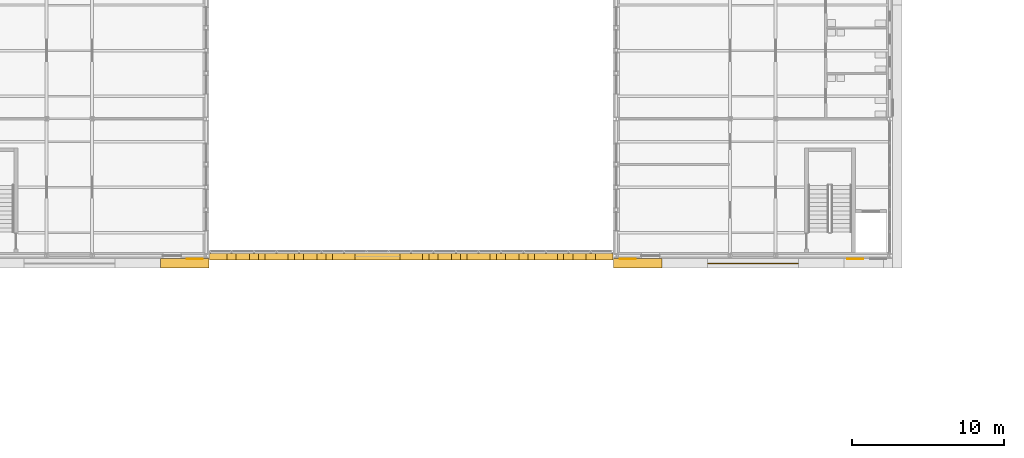
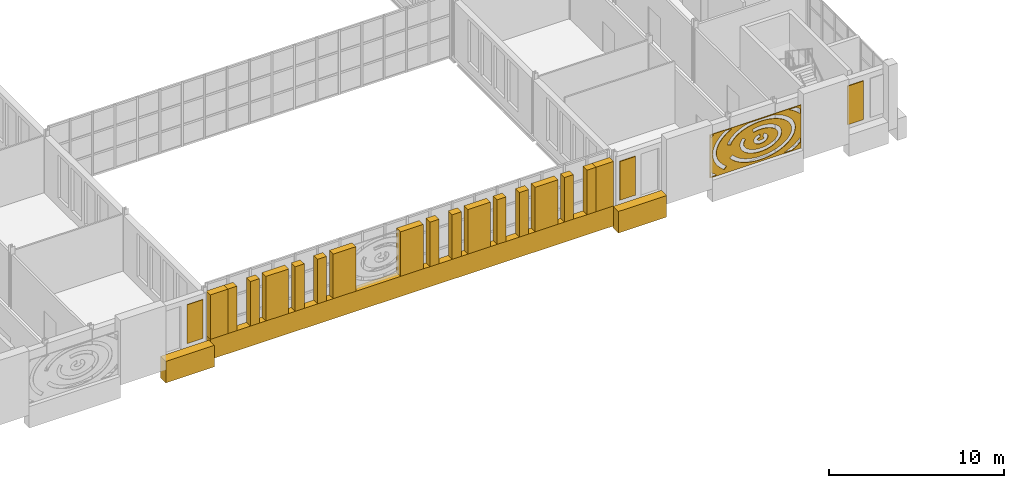
# One storey, part 114 of 131: 24 coverings.
"""IFC4 building model written with IfcOpenShell, lengths in metres."""

from ifc_helpers import new_model, si_unit, direction, frame, origin, place, context, subcontext, project, spatial, polyline, outline, extrude, material, layer, layer_set, type_object, element, save


model = new_model("IFC4")

# Units and contexts
model_context = context("Model", 3, precision=1e-05, world=origin(), true_north=direction((0.0, 1.0)))
body_context = subcontext(model_context, "Body", "Model", "MODEL_VIEW")
ifc_project = project(units=[si_unit("LENGTHUNIT", "METRE"), si_unit("AREAUNIT", "SQUARE_METRE"), si_unit("VOLUMEUNIT", "CUBIC_METRE"), si_unit("PLANEANGLEUNIT", "RADIAN"), si_unit("MASSUNIT", "GRAM", prefix="KILO")], contexts=[model_context])

# Site, building, storey
site_placement = place(None, origin())
site = spatial("IfcSite", under=ifc_project, at=site_placement, CompositionType="ELEMENT")
building_placement = place(site_placement, origin())
building = spatial("IfcBuilding", under=site, at=building_placement, Name="Golden Quay Civic Hall", CompositionType="ELEMENT")
storey_placement = place(building_placement, frame((0.0, 0.0, 9.89990234375)))
storey = spatial("IfcBuildingStorey", under=building, at=storey_placement, Name="L02", CompositionType="ELEMENT", Elevation=9.89990234375)

# Coverings
ifc_material_1 = material(Name="Aluminium, golden anodised, perforated", Category="aluminium")
ifc_layer_1 = layer(ifc_material_1, 0.0400390625)
ifc_layer_set_1 = layer_set([ifc_layer_1], Name="Perforated screen panel 6000 x 3000 x 40")
covering_type_1 = type_object("IfcCoveringType", Name="Perforated screen panel 6000 x 3000 x 40", PredefinedType="CLADDING", material=ifc_layer_set_1)
covering_1_placement = place(storey_placement, frame((108.0, -0.5, 2.10009765625), z_axis=(0.0, -1.0, 0.0), x_axis=(1.0, 0.0, 0.0)))
element("IfcCovering", 1, at=covering_1_placement, inside=storey, type_object=covering_type_1, Name="Perforated screen panel 6000 x 3000 x 40 L02 10", PredefinedType="CLADDING", context=body_context, shape_type="SweptSolid", body=[
    extrude(outline(polyline([(-3.0, -1.5), (3.0, -1.5), (3.0, 1.5), (-3.0, 1.5), (-3.0, -1.5)]), holes=[polyline([(0.258056640625, 0.16650390625), (0.1943359375, 0.14599609375), (0.162109375, 0.12841796875), (0.139404296875, 0.110595703125), (0.126708984375, 0.095458984375), (0.120849609375, 0.080078125), (0.1259765625, 0.065673828125), (0.1376953125, 0.051025390625), (0.174072265625, 0.0244140625), (0.210205078125, 0.007568359375), (0.277587890625, -0.010498046875), (0.327880859375, -0.015869140625), (0.379150390625, -0.015380859375), (0.45263671875, -0.004150390625), (0.495361328125, 0.009765625), (0.544189453125, 0.035888671875), (0.564453125, 0.05322265625), (0.574951171875, 0.0673828125), (0.5791015625, 0.07861328125), (0.57568359375, 0.09130859375), (0.55810546875, 0.11279296875), (0.5341796875, 0.130859375), (0.4765625, 0.1572265625), (0.562744140625, 0.38232421875), (0.633056640625, 0.351806640625), (0.68798828125, 0.317626953125), (0.742431640625, 0.269287109375), (0.77392578125, 0.22900390625), (0.801513671875, 0.176513671875), (0.816650390625, 0.123291015625), (0.81982421875, 0.064697265625), (0.810302734375, 0.009521484375), (0.797607421875, -0.02587890625), (0.780517578125, -0.05859375), (0.759765625, -0.0888671875), (0.735595703125, -0.1162109375), (0.708984375, -0.14111328125), (0.6572265625, -0.177978515625), (0.581298828125, -0.21533203125), (0.54541015625, -0.22802734375), (0.477294921875, -0.245361328125), (0.3916015625, -0.256103515625), (0.319091796875, -0.256591796875), (0.272705078125, -0.2529296875), (0.2021484375, -0.240966796875), (0.164794921875, -0.231201171875), (0.093505859375, -0.20458984375), (0.0283203125, -0.1689453125), (-0.02880859375, -0.123291015625), (-0.06201171875, -0.085693359375), (-0.093505859375, -0.034912109375), (-0.1123046875, 0.016357421875), (-0.1201171875, 0.074462890625), (-0.115234375, 0.130615234375), (-0.097412109375, 0.186767578125), (-0.0712890625, 0.23291015625), (-0.03271484375, 0.279296875), (0.025390625, 0.326904296875), (0.066162109375, 0.351318359375), (0.135009765625, 0.381591796875), (0.201904296875, 0.40087890625), (0.27978515625, 0.413818359375), (0.310546875, 0.1748046875), (0.258056640625, 0.16650390625)]), polyline([(-0.724609375, 0.27685546875), (-0.746826171875, 0.232421875), (-0.76318359375, 0.187744140625), (-0.773681640625, 0.143310546875), (-0.77880859375, 0.09912109375), (-0.778564453125, 0.05517578125), (-0.772705078125, 0.010986328125), (-0.761474609375, -0.033447265625), (-0.744384765625, -0.078125), (-0.721435546875, -0.122802734375), (-0.6923828125, -0.167236328125), (-0.6572265625, -0.211181640625), (-0.61572265625, -0.254150390625), (-0.568603515625, -0.2958984375), (-0.515380859375, -0.3359375), (-0.456787109375, -0.373779296875), (-0.392822265625, -0.409423828125), (-0.32421875, -0.44189453125), (-0.251220703125, -0.4716796875), (-0.17431640625, -0.497802734375), (-0.093994140625, -0.5205078125), (-0.010986328125, -0.539306640625), (0.07470703125, -0.55419921875), (0.161865234375, -0.565185546875), (0.250244140625, -0.572021484375), (0.339599609375, -0.574462890625), (0.4287109375, -0.572998046875), (0.517333984375, -0.567138671875), (0.60498046875, -0.55712890625), (0.69091796875, -0.543212890625), (0.774658203125, -0.525146484375), (0.855712890625, -0.50341796875), (0.933349609375, -0.47802734375), (1.00732421875, -0.44921875), (1.0771484375, -0.417236328125), (1.14208984375, -0.382568359375), (1.201904296875, -0.34521484375), (1.256591796875, -0.305419921875), (1.30517578125, -0.26416015625), (1.347900390625, -0.221435546875), (1.384521484375, -0.177490234375), (1.4150390625, -0.13330078125), (1.439453125, -0.088623046875), (1.4580078125, -0.0439453125), (1.470458984375, 0.00048828125), (1.4775390625, 0.044677734375), (1.479248046875, 0.0888671875), (1.475341796875, 0.1328125), (1.46630859375, 0.17724609375), (1.451171875, 0.2216796875), (1.430419921875, 0.266357421875), (1.40380859375, 0.310791015625), (1.370849609375, 0.35498046875), (1.331787109375, 0.3984375), (1.28662109375, 0.44091796875), (1.235595703125, 0.4814453125), (1.178955078125, 0.520263671875), (1.116943359375, 0.556640625), (1.0498046875, 0.59033203125), (0.978515625, 0.62109375), (0.90283203125, 0.648681640625), (0.82373046875, 0.672607421875), (0.74169921875, 0.69287109375), (0.656982421875, 0.709228515625), (0.5703125, 0.7216796875), (0.482177734375, 0.72998046875), (0.393310546875, 0.73388671875), (0.303955078125, 0.73388671875), (0.215087890625, 0.729736328125), (0.126953125, 0.72119140625), (0.040283203125, 0.708740234375), (-0.044189453125, 0.692138671875), (-0.12939453125, 0.671142578125), (-0.1875, 0.90478515625), (-0.093505859375, 0.927978515625), (0.0029296875, 0.94677734375), (0.101318359375, 0.960693359375), (0.195068359375, 0.9697265625), (0.29541015625, 0.974609375), (0.39599609375, 0.974853515625), (0.49609375, 0.970458984375), (0.595703125, 0.961181640625), (0.69970703125, 0.9462890625), (0.790283203125, 0.9287109375), (0.884521484375, 0.90576171875), (0.975830078125, 0.878173828125), (1.0703125, 0.84375), (1.1484375, 0.810302734375), (1.228759765625, 0.77001953125), (1.304443359375, 0.725830078125), (1.375244140625, 0.677978515625), (1.4404296875, 0.626220703125), (1.50732421875, 0.5634765625), (1.560546875, 0.50341796875), (1.600341796875, 0.4501953125), (1.64013671875, 0.385009765625), (1.672607421875, 0.317138671875), (1.700439453125, 0.2333984375), (1.71484375, 0.16064453125), (1.72021484375, 0.08740234375), (1.716552734375, 0.013916015625), (1.7041015625, -0.05859375), (1.68310546875, -0.129638671875), (1.65966796875, -0.1865234375), (1.62353515625, -0.254150390625), (1.572998046875, -0.327880859375), (1.522216796875, -0.387939453125), (1.46484375, -0.444580078125), (1.408935546875, -0.4921875), (1.333251953125, -0.54736328125), (1.259521484375, -0.593017578125), (1.1875, -0.63134765625), (1.09814453125, -0.672607421875), (1.011474609375, -0.7060546875), (0.921142578125, -0.7353515625), (0.833984375, -0.7587890625), (0.732666015625, -0.780517578125), (0.635009765625, -0.796142578125), (0.54150390625, -0.806884765625), (0.435791015625, -0.813720703125), (0.341064453125, -0.8154296875), (0.240478515625, -0.8125), (0.135009765625, -0.804443359375), (0.041748046875, -0.79296875), (-0.055419921875, -0.776123046875), (-0.150390625, -0.754638671875), (-0.242919921875, -0.728759765625), (-0.33837890625, -0.696044921875), (-0.41796875, -0.6640625), (-0.499755859375, -0.625244140625), (-0.583984375, -0.578369140625), (-0.64990234375, -0.535888671875), (-0.71728515625, -0.485595703125), (-0.7861328125, -0.424560546875), (-0.834716796875, -0.3740234375), (-0.884033203125, -0.313232421875), (-0.9326171875, -0.23828125), (-0.961669921875, -0.182373046875), (-0.989013671875, -0.113037109375), (-1.010498046875, -0.027587890625), (-1.018310546875, 0.031005859375), (-1.019775390625, 0.1044921875), (-1.009765625, 0.192138671875), (-0.99169921875, 0.263916015625), (-0.970703125, 0.3212890625), (-0.931396484375, 0.400634765625), (-0.889892578125, 0.465087890625), (-0.8486328125, 0.51806640625), (-0.65869140625, 0.36962890625), (-0.696533203125, 0.3212890625), (-0.724609375, 0.27685546875)]), polyline([(-1.382568359375, -0.546630859375), (-1.3115234375, -0.611572265625), (-1.2333984375, -0.673828125), (-1.1484375, -0.7333984375), (-1.05712890625, -0.789794921875), (-0.959716796875, -0.843017578125), (-0.856201171875, -0.89208984375), (-0.747802734375, -0.937255859375), (-0.634521484375, -0.978271484375), (-0.51708984375, -1.0146484375), (-0.3955078125, -1.04638671875), (-0.27099609375, -1.073486328125), (-0.143798828125, -1.095703125), (-0.014404296875, -1.112548828125), (0.11669921875, -1.12451171875), (0.248779296875, -1.131103515625), (0.38134765625, -1.13232421875), (0.513671875, -1.12841796875), (0.645263671875, -1.119384765625), (0.775634765625, -1.105224609375), (0.904052734375, -1.085693359375), (1.0302734375, -1.061279296875), (1.1533203125, -1.031982421875), (1.27294921875, -0.998046875), (1.388671875, -0.95947265625), (1.499755859375, -0.91650390625), (1.605712890625, -0.869384765625), (1.706298828125, -0.818359375), (1.801025390625, -0.763671875), (1.889404296875, -0.705810546875), (1.97119140625, -0.644775390625), (2.0458984375, -0.581298828125), (2.113525390625, -0.51513671875), (2.173583984375, -0.447509765625), (2.22607421875, -0.3779296875), (2.270751953125, -0.307373046875), (2.3076171875, -0.236083984375), (2.3369140625, -0.163818359375), (2.3583984375, -0.091552734375), (2.37255859375, -0.018798828125), (2.37890625, 0.0537109375), (2.3779296875, 0.12646484375), (2.369384765625, 0.19921875), (2.353271484375, 0.271728515625), (2.32958984375, 0.343994140625), (2.298095703125, 0.416015625), (2.259033203125, 0.4873046875), (2.212158203125, 0.5576171875), (2.157470703125, 0.62646484375), (2.095458984375, 0.69384765625), (2.02587890625, 0.75927734375), (1.94921875, 0.822021484375), (1.865478515625, 0.882080078125), (1.775146484375, 0.939208984375), (1.6787109375, 0.992919921875), (1.57666015625, 1.04296875), (1.468994140625, 1.0888671875), (1.356689453125, 1.130615234375), (1.239990234375, 1.168212890625), (1.119384765625, 1.20068359375), (0.995361328125, 1.228759765625), (0.868408203125, 1.251708984375), (0.739501953125, 1.269775390625), (0.608642578125, 1.282470703125), (0.476806640625, 1.2900390625), (0.34423828125, 1.29248046875), (0.2119140625, 1.289794921875), (0.080078125, 1.281494140625), (-0.05078125, 1.268310546875), (-0.1796875, 1.25), (-0.30615234375, 1.2265625), (-0.429931640625, 1.197998046875), (-0.55029296875, 1.1650390625), (-0.666748046875, 1.127197265625), (-0.77880859375, 1.085205078125), (-0.8857421875, 1.038818359375), (-0.9873046875, 0.988525390625), (-1.083251953125, 0.9345703125), (-1.173095703125, 0.877197265625), (-1.256103515625, 0.816650390625), (-1.33203125, 0.753662109375), (-1.401123046875, 0.68798828125), (-1.462646484375, 0.62060546875), (-1.5166015625, 0.551513671875), (-1.562744140625, 0.481201171875), (-1.60107421875, 0.409912109375), (-1.634033203125, 0.33251953125), (-1.855712890625, 0.42724609375), (-1.81591796875, 0.519287109375), (-1.766845703125, 0.60888671875), (-1.70947265625, 0.69580078125), (-1.649658203125, 0.7724609375), (-1.576171875, 0.853515625), (-1.4951171875, 0.930908203125), (-1.40673828125, 1.004638671875), (-1.311767578125, 1.07421875), (-1.210205078125, 1.13916015625), (-1.102783203125, 1.199951171875), (-0.98974609375, 1.256103515625), (-0.87158203125, 1.307373046875), (-0.748779296875, 1.353759765625), (-0.6220703125, 1.39501953125), (-0.452880859375, 1.43994140625), (1.153564453125, 1.43994140625), (1.310791015625, 1.398193359375), (1.432861328125, 1.359375), (1.555908203125, 1.313720703125), (1.67431640625, 1.26318359375), (1.78759765625, 1.2080078125), (1.895263671875, 1.148193359375), (1.997314453125, 1.083984375), (2.0927734375, 1.015380859375), (2.181640625, 0.94287109375), (2.269287109375, 0.8603515625), (2.337646484375, 0.78662109375), (2.404052734375, 0.703125), (2.46240234375, 0.61669921875), (2.511962890625, 0.527099609375), (2.556640625, 0.424560546875), (2.583984375, 0.34130859375), (2.605712890625, 0.245361328125), (2.61865234375, 0.13623046875), (2.619384765625, 0.038818359375), (2.610107421875, -0.058349609375), (2.591064453125, -0.154541015625), (2.566162109375, -0.23828125), (2.52880859375, -0.331787109375), (2.47705078125, -0.431884765625), (2.421142578125, -0.519287109375), (2.36279296875, -0.596435546875), (2.284912109375, -0.6845703125), (2.205078125, -0.761962890625), (2.118408203125, -0.835693359375), (2.030517578125, -0.90087890625), (1.92431640625, -0.970703125), (1.818115234375, -1.03173828125), (1.706298828125, -1.08837890625), (1.5947265625, -1.1376953125), (1.467529296875, -1.18701171875), (1.341552734375, -1.22900390625), (1.216796875, -1.264404296875), (1.07861328125, -1.29736328125), (0.9423828125, -1.323486328125), (0.80908203125, -1.34375), (0.664306640625, -1.359619140625), (0.52294921875, -1.369140625), (0.385986328125, -1.373291015625), (0.239013671875, -1.37158203125), (0.102294921875, -1.36474609375), (-0.038330078125, -1.352294921875), (-0.182373046875, -1.33349609375), (-0.314697265625, -1.310546875), (-0.44921875, -1.281494140625), (-0.585693359375, -1.24560546875), (-0.70849609375, -1.20751953125), (-0.83251953125, -1.162841796875), (-0.957275390625, -1.11083984375), (-1.066162109375, -1.05908203125), (-1.175048828125, -1.0), (-1.278076171875, -0.9365234375), (-1.375, -0.868896484375), (-1.47119140625, -0.7919921875), (-1.548095703125, -0.7216796875), (-1.623779296875, -0.64208984375), (-1.69189453125, -0.5595703125), (-1.505126953125, -0.4072265625), (-1.446044921875, -0.4794921875), (-1.382568359375, -0.546630859375)]), polyline([(1.931396484375, -1.407958984375), (2.066162109375, -1.35205078125), (2.19580078125, -1.291748046875), (2.3193359375, -1.22705078125), (2.436767578125, -1.15869140625), (2.547607421875, -1.086669921875), (2.6513671875, -1.010986328125), (2.747802734375, -0.932373046875), (2.8369140625, -0.85107421875), (2.93994140625, -0.741455078125), (2.93994140625, -1.083251953125), (2.80078125, -1.199951171875), (2.681640625, -1.28662109375), (2.560791015625, -1.365234375), (2.43212890625, -1.43994140625), (1.843994140625, -1.43994140625), (1.931396484375, -1.407958984375)]), polyline([(2.88818359375, 0.958984375), (2.80419921875, 1.042236328125), (2.712158203125, 1.12255859375), (2.61279296875, 1.199951171875), (2.50634765625, 1.2744140625), (2.39306640625, 1.34521484375), (2.21728515625, 1.43994140625), (2.68994140625, 1.43994140625), (2.75341796875, 1.395751953125), (2.863037109375, 1.310302734375), (2.93994140625, 1.243408203125), (2.93994140625, 0.9013671875), (2.88818359375, 0.958984375)]), polyline([(-1.6171875, 1.388427734375), (-1.734619140625, 1.320068359375), (-1.845703125, 1.247802734375), (-1.949462890625, 1.172607421875), (-2.046142578125, 1.093994140625), (-2.135498046875, 1.012451171875), (-2.216796875, 0.9287109375), (-2.2900390625, 0.842529296875), (-2.35546875, 0.754638671875), (-2.412353515625, 0.665283203125), (-2.461181640625, 0.574462890625), (-2.50146484375, 0.48291015625), (-2.533203125, 0.390380859375), (-2.556884765625, 0.297607421875), (-2.572021484375, 0.2041015625), (-2.5791015625, 0.11083984375), (-2.57763671875, 0.017333984375), (-2.56787109375, -0.076171875), (-2.5498046875, -0.169189453125), (-2.5234375, -0.261962890625), (-2.488525390625, -0.354248046875), (-2.4453125, -0.445556640625), (-2.393798828125, -0.535888671875), (-2.333984375, -0.625), (-2.26611328125, -0.712158203125), (-2.189697265625, -0.797607421875), (-2.105712890625, -0.880615234375), (-2.013916015625, -0.961181640625), (-1.912353515625, -1.04052734375), (-2.060546875, -1.23046875), (-2.17041015625, -1.14453125), (-2.2724609375, -1.054443359375), (-2.366943359375, -0.960693359375), (-2.45361328125, -0.863525390625), (-2.526611328125, -0.769775390625), (-2.59619140625, -0.666748046875), (-2.656982421875, -0.56103515625), (-2.70849609375, -0.45263671875), (-2.75048828125, -0.34228515625), (-2.782958984375, -0.230224609375), (-2.806884765625, -0.106201171875), (-2.818359375, 0.00830078125), (-2.819580078125, 0.123291015625), (-2.810791015625, 0.23779296875), (-2.793701171875, 0.34130859375), (-2.765625, 0.45458984375), (-2.7275390625, 0.566162109375), (-2.6796875, 0.67578125), (-2.617919921875, 0.791015625), (-2.551513671875, 0.894775390625), (-2.47607421875, 0.995849609375), (-2.392333984375, 1.093505859375), (-2.300537109375, 1.18798828125), (-2.2060546875, 1.274169921875), (-2.098876953125, 1.361572265625), (-1.9912109375, 1.43994140625), (-1.51806640625, 1.43994140625), (-1.6171875, 1.388427734375)]), polyline([(-2.8173828125, 1.384033203125), (-2.91796875, 1.289306640625), (-2.93994140625, 1.26611328125), (-2.93994140625, 1.43994140625), (-2.751708984375, 1.43994140625), (-2.8173828125, 1.384033203125)]), polyline([(-2.93994140625, -1.10595703125), (-2.81689453125, -1.224609375), (-2.708740234375, -1.316650390625), (-2.543701171875, -1.43994140625), (-2.935302734375, -1.43994140625), (-2.93994140625, -1.43603515625), (-2.93994140625, -1.10595703125)])]), origin(), (0.0, 0.0, 1.0), 0.0400390625),
])
ifc_material_2 = material(Name="Terracotta cladding, golden glaze", Category="masonry")
covering_type_2 = type_object("IfcCoveringType", Name="Terracotta hall screen fascia 450 x 1400", PredefinedType="CLADDING", material=ifc_material_2)
covering_2_placement = place(storey_placement, frame((0.0, 0.0, -0.699951171875)))
element("IfcCovering", 2, at=covering_2_placement, inside=storey, type_object=covering_type_2, Name="Hall screen fascia south L02", PredefinedType="CLADDING", context=body_context, shape_type="SweptSolid", body=[
    extrude(outline(polyline([(72.219970703125, -0.300048828125), (98.780029296875, -0.300048828125), (98.780029296875, 0.14990234375), (72.219970703125, 0.14990234375), (72.219970703125, -0.300048828125)])), origin(), (0.0, 0.0, 1.0), 1.400146484375),
])
ifc_material_3 = material(Name="Terracotta cladding, golden glaze", Category="masonry")
covering_type_3 = type_object("IfcCoveringType", Name="Terracotta hall screen minor pier 600 x 450", PredefinedType="CLADDING", material=ifc_material_3)
covering_3_placement = place(storey_placement, frame((0.0, 0.0, 0.7001953125)))
element("IfcCovering", 3, at=covering_3_placement, inside=storey, type_object=covering_type_3, Name="Hall screen minor pier south L02 1", PredefinedType="CLADDING", context=body_context, shape_type="SweptSolid", body=[
    extrude(outline(polyline([(73.3779296875, -0.300048828125), (73.97802734375, -0.300048828125), (73.97802734375, 0.14990234375), (73.3779296875, 0.14990234375), (73.3779296875, -0.300048828125)])), origin(), (0.0, 0.0, 1.0), 3.099853515625),
])
covering_4_placement = place(storey_placement, frame((0.0, 0.0, 0.7001953125)))
element("IfcCovering", 4, at=covering_4_placement, inside=storey, type_object=covering_type_3, Name="Hall screen minor pier south L02 2", PredefinedType="CLADDING", context=body_context, shape_type="SweptSolid", body=[
    extrude(outline(polyline([(74.85595703125, -0.300048828125), (75.4560546875, -0.300048828125), (75.4560546875, 0.14990234375), (74.85595703125, 0.14990234375), (74.85595703125, -0.300048828125)])), origin(), (0.0, 0.0, 1.0), 3.099853515625),
])
covering_5_placement = place(storey_placement, frame((0.0, 0.0, 0.7001953125)))
element("IfcCovering", 5, at=covering_5_placement, inside=storey, type_object=covering_type_3, Name="Hall screen minor pier south L02 4", PredefinedType="CLADDING", context=body_context, shape_type="SweptSolid", body=[
    extrude(outline(polyline([(77.81103515625, -0.300048828125), (78.410888671875, -0.300048828125), (78.410888671875, 0.14990234375), (77.81103515625, 0.14990234375), (77.81103515625, -0.300048828125)])), origin(), (0.0, 0.0, 1.0), 3.099853515625),
])
covering_6_placement = place(storey_placement, frame((0.0, 0.0, 0.7001953125)))
element("IfcCovering", 6, at=covering_6_placement, inside=storey, type_object=covering_type_3, Name="Hall screen minor pier south L02 5", PredefinedType="CLADDING", context=body_context, shape_type="SweptSolid", body=[
    extrude(outline(polyline([(79.2890625, -0.300048828125), (79.888916015625, -0.300048828125), (79.888916015625, 0.14990234375), (79.2890625, 0.14990234375), (79.2890625, -0.300048828125)])), origin(), (0.0, 0.0, 1.0), 3.099853515625),
])
covering_7_placement = place(storey_placement, frame((0.0, 0.0, 0.7001953125)))
element("IfcCovering", 7, at=covering_7_placement, inside=storey, type_object=covering_type_3, Name="Hall screen minor pier south L02 10", PredefinedType="CLADDING", context=body_context, shape_type="SweptSolid", body=[
    extrude(outline(polyline([(86.677978515625, -0.300048828125), (87.278076171875, -0.300048828125), (87.278076171875, 0.14990234375), (86.677978515625, 0.14990234375), (86.677978515625, -0.300048828125)])), origin(), (0.0, 0.0, 1.0), 3.099853515625),
])
covering_8_placement = place(storey_placement, frame((0.0, 0.0, 0.7001953125)))
element("IfcCovering", 8, at=covering_8_placement, inside=storey, type_object=covering_type_3, Name="Hall screen minor pier south L02 11", PredefinedType="CLADDING", context=body_context, shape_type="SweptSolid", body=[
    extrude(outline(polyline([(88.156005859375, -0.300048828125), (88.756103515625, -0.300048828125), (88.756103515625, 0.14990234375), (88.156005859375, 0.14990234375), (88.156005859375, -0.300048828125)])), origin(), (0.0, 0.0, 1.0), 3.099853515625),
])
covering_9_placement = place(storey_placement, frame((0.0, 0.0, 0.7001953125)))
element("IfcCovering", 9, at=covering_9_placement, inside=storey, type_object=covering_type_3, Name="Hall screen minor pier south L02 13", PredefinedType="CLADDING", context=body_context, shape_type="SweptSolid", body=[
    extrude(outline(polyline([(91.111083984375, -0.300048828125), (91.7109375, -0.300048828125), (91.7109375, 0.14990234375), (91.111083984375, 0.14990234375), (91.111083984375, -0.300048828125)])), origin(), (0.0, 0.0, 1.0), 3.099853515625),
])
covering_10_placement = place(storey_placement, frame((0.0, 0.0, 0.7001953125)))
element("IfcCovering", 10, at=covering_10_placement, inside=storey, type_object=covering_type_3, Name="Hall screen minor pier south L02 14", PredefinedType="CLADDING", context=body_context, shape_type="SweptSolid", body=[
    extrude(outline(polyline([(92.589111328125, -0.300048828125), (93.18896484375, -0.300048828125), (93.18896484375, 0.14990234375), (92.589111328125, 0.14990234375), (92.589111328125, -0.300048828125)])), origin(), (0.0, 0.0, 1.0), 3.099853515625),
])
covering_11_placement = place(storey_placement, frame((0.0, 0.0, 0.7001953125)))
element("IfcCovering", 11, at=covering_11_placement, inside=storey, type_object=covering_type_3, Name="Hall screen minor pier south L02 16", PredefinedType="CLADDING", context=body_context, shape_type="SweptSolid", body=[
    extrude(outline(polyline([(95.5439453125, -0.300048828125), (96.14404296875, -0.300048828125), (96.14404296875, 0.14990234375), (95.5439453125, 0.14990234375), (95.5439453125, -0.300048828125)])), origin(), (0.0, 0.0, 1.0), 3.099853515625),
])
covering_12_placement = place(storey_placement, frame((0.0, 0.0, 0.7001953125)))
element("IfcCovering", 12, at=covering_12_placement, inside=storey, type_object=covering_type_3, Name="Hall screen minor pier south L02 17", PredefinedType="CLADDING", context=body_context, shape_type="SweptSolid", body=[
    extrude(outline(polyline([(97.02197265625, -0.300048828125), (97.6220703125, -0.300048828125), (97.6220703125, 0.14990234375), (97.02197265625, 0.14990234375), (97.02197265625, -0.300048828125)])), origin(), (0.0, 0.0, 1.0), 3.099853515625),
])
ifc_material_4 = material(Name="Terracotta cladding, golden glaze", Category="masonry")
covering_type_4 = type_object("IfcCoveringType", Name="Terracotta hall screen pier 1500 x 450", PredefinedType="CLADDING", material=ifc_material_4)
covering_13_placement = place(storey_placement, frame((0.0, 0.0, 0.7001953125)))
element("IfcCovering", 13, at=covering_13_placement, inside=storey, type_object=covering_type_4, Name="Hall screen pier south L02 0", PredefinedType="CLADDING", context=body_context, shape_type="SweptSolid", body=[
    extrude(outline(polyline([(72.219970703125, -0.300048828125), (73.719970703125, -0.300048828125), (73.719970703125, 0.14990234375), (72.219970703125, 0.14990234375), (72.219970703125, -0.300048828125)])), origin(), (0.0, 0.0, 1.0), 3.099853515625),
])
covering_14_placement = place(storey_placement, frame((0.0, 0.0, 0.7001953125)))
element("IfcCovering", 14, at=covering_14_placement, inside=storey, type_object=covering_type_4, Name="Hall screen pier south L02 3", PredefinedType="CLADDING", context=body_context, shape_type="SweptSolid", body=[
    extrude(outline(polyline([(75.883056640625, -0.300048828125), (77.383056640625, -0.300048828125), (77.383056640625, 0.14990234375), (75.883056640625, 0.14990234375), (75.883056640625, -0.300048828125)])), origin(), (0.0, 0.0, 1.0), 3.099853515625),
])
covering_15_placement = place(storey_placement, frame((0.0, 0.0, 0.7001953125)))
element("IfcCovering", 15, at=covering_15_placement, inside=storey, type_object=covering_type_4, Name="Hall screen pier south L02 6", PredefinedType="CLADDING", context=body_context, shape_type="SweptSolid", body=[
    extrude(outline(polyline([(80.31689453125, -0.300048828125), (81.81689453125, -0.300048828125), (81.81689453125, 0.14990234375), (80.31689453125, 0.14990234375), (80.31689453125, -0.300048828125)])), origin(), (0.0, 0.0, 1.0), 3.099853515625),
])
covering_16_placement = place(storey_placement, frame((0.0, 0.0, 0.7001953125)))
element("IfcCovering", 16, at=covering_16_placement, inside=storey, type_object=covering_type_4, Name="Hall screen pier south L02 9", PredefinedType="CLADDING", context=body_context, shape_type="SweptSolid", body=[
    extrude(outline(polyline([(84.75, -0.300048828125), (86.25, -0.300048828125), (86.25, 0.14990234375), (84.75, 0.14990234375), (84.75, -0.300048828125)])), origin(), (0.0, 0.0, 1.0), 3.099853515625),
])
covering_17_placement = place(storey_placement, frame((0.0, 0.0, 0.7001953125)))
element("IfcCovering", 17, at=covering_17_placement, inside=storey, type_object=covering_type_4, Name="Hall screen pier south L02 12", PredefinedType="CLADDING", context=body_context, shape_type="SweptSolid", body=[
    extrude(outline(polyline([(89.18310546875, -0.300048828125), (90.68310546875, -0.300048828125), (90.68310546875, 0.14990234375), (89.18310546875, 0.14990234375), (89.18310546875, -0.300048828125)])), origin(), (0.0, 0.0, 1.0), 3.099853515625),
])
covering_18_placement = place(storey_placement, frame((0.0, 0.0, 0.7001953125)))
element("IfcCovering", 18, at=covering_18_placement, inside=storey, type_object=covering_type_4, Name="Hall screen pier south L02 15", PredefinedType="CLADDING", context=body_context, shape_type="SweptSolid", body=[
    extrude(outline(polyline([(93.616943359375, -0.300048828125), (95.116943359375, -0.300048828125), (95.116943359375, 0.14990234375), (93.616943359375, 0.14990234375), (93.616943359375, -0.300048828125)])), origin(), (0.0, 0.0, 1.0), 3.099853515625),
])
covering_19_placement = place(storey_placement, frame((0.0, 0.0, 0.7001953125)))
element("IfcCovering", 19, at=covering_19_placement, inside=storey, type_object=covering_type_4, Name="Hall screen pier south L02 18", PredefinedType="CLADDING", context=body_context, shape_type="SweptSolid", body=[
    extrude(outline(polyline([(97.280029296875, -0.300048828125), (98.780029296875, -0.300048828125), (98.780029296875, 0.14990234375), (97.280029296875, 0.14990234375), (97.280029296875, -0.300048828125)])), origin(), (0.0, 0.0, 1.0), 3.099853515625),
])
ifc_material_5 = material(Name="Terracotta cladding, golden glaze", Category="masonry")
ifc_layer_2 = layer(ifc_material_5, 0.050048828125)
ifc_layer_set_2 = layer_set([ifc_layer_2], Name="Terracotta solid panel 1050 x 2700 x 50")
covering_type_5 = type_object("IfcCoveringType", Name="Terracotta solid panel 1050 x 2700 x 50", PredefinedType="CLADDING", material=ifc_layer_set_2)
covering_20_placement = place(storey_placement, frame((0.0, 0.0, 0.900146484375)))
element("IfcCovering", 20, at=covering_20_placement, inside=storey, type_object=covering_type_5, Name="Terracotta solid panel 1050 x 2700 x 50 L02 26", PredefinedType="CLADDING", context=body_context, shape_type="SweptSolid", body=[
    extrude(outline(polyline([(70.72509765625, -0.199951171875), (71.77490234375, -0.199951171875), (71.77490234375, -0.25), (70.72509765625, -0.25), (70.72509765625, -0.199951171875)])), origin(), (0.0, 0.0, 1.0), 2.699951171875),
])
covering_21_placement = place(storey_placement, frame((0.0, 0.0, 0.900146484375)))
element("IfcCovering", 21, at=covering_21_placement, inside=storey, type_object=covering_type_5, Name="Terracotta solid panel 1050 x 2700 x 50 L02 35", PredefinedType="CLADDING", context=body_context, shape_type="SweptSolid", body=[
    extrude(outline(polyline([(99.22509765625, -0.199951171875), (100.27490234375, -0.199951171875), (100.27490234375, -0.25), (99.22509765625, -0.25), (99.22509765625, -0.199951171875)])), origin(), (0.0, 0.0, 1.0), 2.699951171875),
])
covering_22_placement = place(storey_placement, frame((0.0, 0.0, 0.900146484375)))
element("IfcCovering", 22, at=covering_22_placement, inside=storey, type_object=covering_type_5, Name="Terracotta solid panel 1050 x 2700 x 50 L02 36", PredefinedType="CLADDING", context=body_context, shape_type="SweptSolid", body=[
    extrude(outline(polyline([(114.22509765625, -0.199951171875), (115.27490234375, -0.199951171875), (115.27490234375, -0.25), (114.22509765625, -0.25), (114.22509765625, -0.199951171875)])), origin(), (0.0, 0.0, 1.0), 2.699951171875),
])
ifc_material_6 = material(Name="Terracotta cladding, golden glaze", Category="masonry")
covering_type_6 = type_object("IfcCoveringType", Name="Terracotta spandrel fascia 600 x 1500", PredefinedType="CLADDING", material=ifc_material_6)
covering_23_placement = place(storey_placement, frame((0.0, 0.0, -0.89990234375)))
element("IfcCovering", 23, at=covering_23_placement, inside=storey, type_object=covering_type_6, Name="Terracotta spandrel fascia 600 x 1500 L02 7", PredefinedType="CLADDING", context=body_context, shape_type="SweptSolid", body=[
    extrude(outline(polyline([(72.18994140625, -0.800048828125), (69.0, -0.800048828125), (69.0, -0.199951171875), (72.18994140625, -0.199951171875), (72.18994140625, -0.800048828125)])), origin(), (0.0, 0.0, 1.0), 1.5),
])
covering_24_placement = place(storey_placement, frame((0.0, 0.0, -0.89990234375)))
element("IfcCovering", 24, at=covering_24_placement, inside=storey, type_object=covering_type_6, Name="Terracotta spandrel fascia 600 x 1500 L02 9", PredefinedType="CLADDING", context=body_context, shape_type="SweptSolid", body=[
    extrude(outline(polyline([(98.81005859375, -0.199951171875), (102.0, -0.199951171875), (102.0, -0.800048828125), (98.81005859375, -0.800048828125), (98.81005859375, -0.199951171875)])), origin(), (0.0, 0.0, 1.0), 1.5),
])

save(model, "model.ifc")
